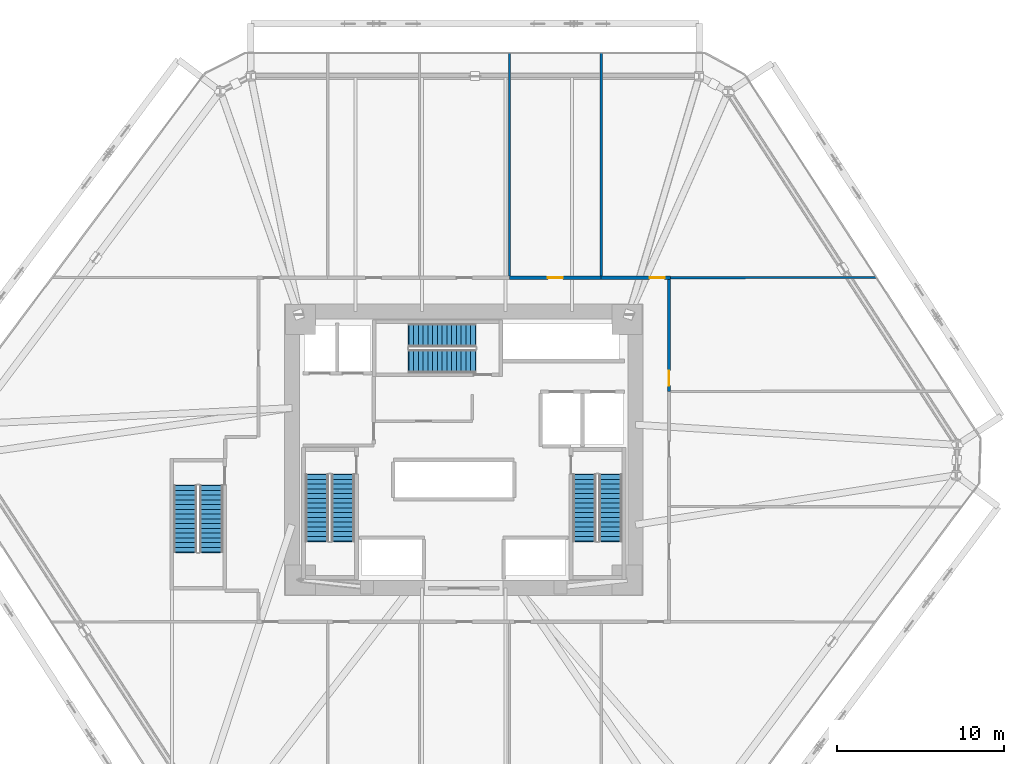
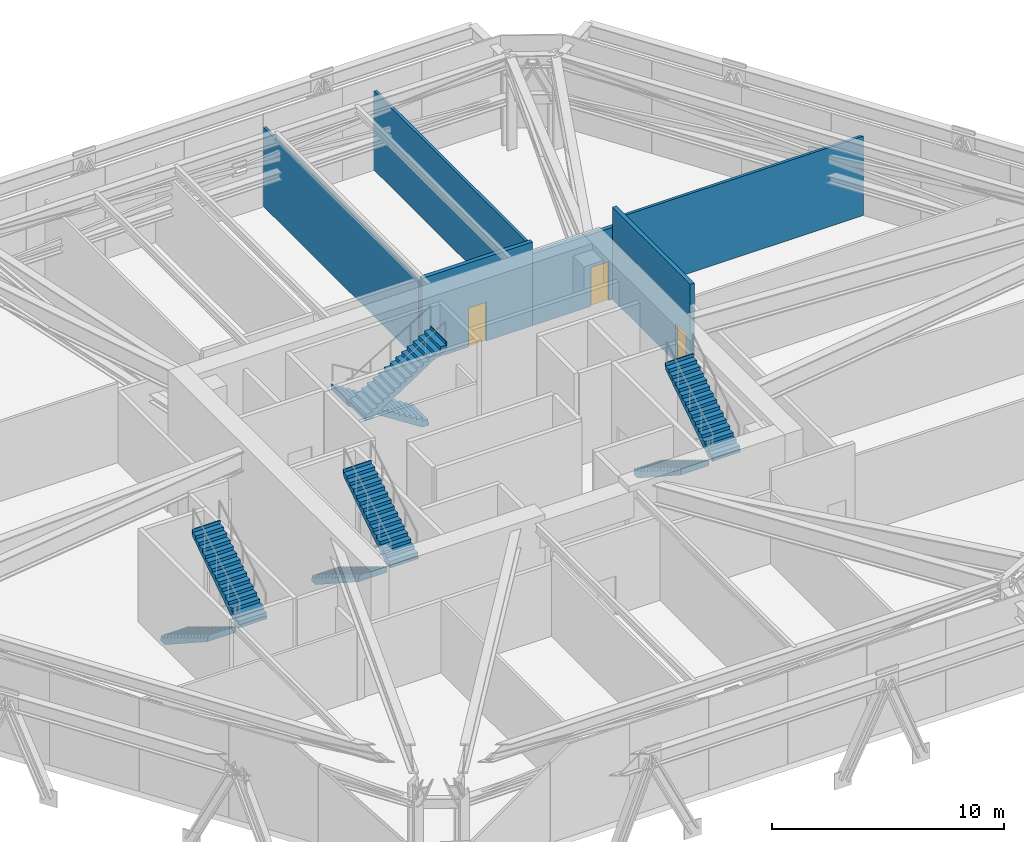
# One storey, part 15 of 16: 8 stair flights, 6 walls, 3 doors, 3 openings, 4 elements without a shape of their own.
"""IFC4 building model written with IfcOpenShell, lengths in metres."""

from ifc_helpers import new_model, si_unit, direction, frame, frame_2d, origin, place, context, subcontext, project, spatial, polyline, rectangle, outline, extrude, source, transform, mapped, material, layer, layer_set, type_object, type_shapes, element, fill, aggregate, save


model = new_model("IFC4")

# Units and contexts
model_context = context("Model", 3, precision=1e-05, world=origin(), true_north=direction((0.0, 1.0)))
body_context = subcontext(model_context, "Body", "Model", "MODEL_VIEW")
ifc_project = project(units=[si_unit("LENGTHUNIT", "METRE"), si_unit("AREAUNIT", "SQUARE_METRE"), si_unit("VOLUMEUNIT", "CUBIC_METRE"), si_unit("PLANEANGLEUNIT", "RADIAN"), si_unit("MASSUNIT", "GRAM", prefix="KILO")], contexts=[model_context])

# Site, building, storey
site_placement = place(None, origin())
site = spatial("IfcSite", under=ifc_project, at=site_placement, CompositionType="ELEMENT")
building_placement = place(site_placement, origin())
building = spatial("IfcBuilding", under=site, at=building_placement, Name="Durnholm Broadcast Tower", CompositionType="ELEMENT")
storey_placement = place(building_placement, frame((0.0, 0.0, 10.39990234375)))
storey = spatial("IfcBuildingStorey", under=building, at=storey_placement, Name="L02", CompositionType="ELEMENT", Elevation=10.39990234375)

# Wall, opening, door
ifc_material_1 = material(Name="Fire-Rated Gypsum Shaftwall", Category="concrete")
ifc_layer_1 = layer(ifc_material_1, 0.199951171875)
ifc_layer_set_1 = layer_set([ifc_layer_1], Name="Fire-Rated Gypsum Shaftwall")
wall_type_1 = type_object("IfcWallType", Name="WALL-LOB-200", PredefinedType="SOLIDWALL", material=ifc_layer_set_1)
wall_1_placement = place(storey_placement, frame((8.239990234375, 10.31005859375, 0.0), z_axis=(0.0, 0.0, 1.0), x_axis=(-1.0, 0.0, 0.0)))
wall_1 = element("IfcWall", 1, at=wall_1_placement, inside=storey, type_object=wall_type_1, Name="L02 Mechanical Plant Room - Domestic Water Booster Tank corridor partition", PredefinedType="SOLIDWALL", context=body_context, shape_type="SweptSolid", body=[
    extrude(rectangle(XDim=5.5, YDim=0.199951171875, at=frame_2d((2.75, 0.0))), origin(), (0.0, 0.0, 1.0), 4.417724609375),
])
opening_1_placement = place(wall_1_placement, frame((2.300048828125, 0.0, 0.0)))
opening_1 = element("IfcOpeningElement", 2, at=opening_1_placement, cuts=wall_1, Name="Opening DC-60L", PredefinedType="OPENING", context=body_context, shape_type="SweptSolid", body=[
    extrude(rectangle(XDim=0.89990234375, YDim=2.050048828125, at=frame_2d((0.449951171875, 1.02490234375))), frame((0.0, 0.10986328125, 0.0), z_axis=(0.0, -1.0, 0.0), x_axis=(1.0, 0.0, 0.0)), (0.0, 0.0, 1.0), 0.219970703125),
])
ifc_material_2 = material(Name="Fire-Rated Core Service Door", Category="steel")
ifc_layer_2 = layer(ifc_material_2, 0.050048828125)
ifc_layer_set_2 = layer_set([ifc_layer_2], Name="Fire-Rated Core Service Door")
door_type_1 = type_object("IfcDoorType", Name="DOOR-CORE-FD60-L", OperationType="NOTDEFINED", PredefinedType="DOOR", material=ifc_layer_set_2)
shared_shape_1 = source(origin(), body_context, "Body", "SweptSolid", [
    extrude(rectangle(XDim=0.89990234375, YDim=2.050048828125, at=frame_2d((0.449951171875, 1.02490234375))), frame((0.0, 0.02490234375, 0.0), z_axis=(0.0, -1.0, 0.0), x_axis=(1.0, 0.0, 0.0)), (0.0, 0.0, 1.0), 0.050048828125),
])
type_shapes(door_type_1, [shared_shape_1])
door_1_placement = place(opening_1_placement, origin())
door_1 = element("IfcDoor", 3, at=door_1_placement, inside=storey, type_object=door_type_1, Name="L02 Mechanical Plant Room - Domestic Water Booster Tank entrance door", OperationType="SINGLE_SWING_LEFT", OverallHeight=2.050048828125, OverallWidth=0.89990234375, PredefinedType="DOOR", context=body_context, shape_type="MappedRepresentation", body=[
    mapped(shared_shape_1, transform((0.0, 0.0, 0.0), x_axis=(1.0, 0.0, 0.0), y_axis=(0.0, 1.0, 0.0), z_axis=(0.0, 0.0, 1.0), scale=1.0)),
])
fill(opening_1, door_1)

wall_2_placement = place(storey_placement, frame((12.389892578125, 10.31005859375, 0.0), z_axis=(0.0, 0.0, 1.0), x_axis=(-1.0, 0.0, 0.0)))
wall_2 = element("IfcWall", 4, at=wall_2_placement, inside=storey, type_object=wall_type_1, Name="L02 Mechanical Plant Room - Hydronic Heating Boiler corridor partition", PredefinedType="SOLIDWALL", context=body_context, shape_type="SweptSolid", body=[
    extrude(rectangle(XDim=4.14990234375, YDim=0.199951171875, at=frame_2d((2.074951171875, 0.0))), origin(), (0.0, 0.0, 1.0), 3.787109375),
])
opening_2_placement = place(wall_2_placement, frame((0.35009765625, 0.0, 0.0)))
opening_2 = element("IfcOpeningElement", 5, at=opening_2_placement, cuts=wall_2, Name="Opening DC-60R", PredefinedType="OPENING", context=body_context, shape_type="SweptSolid", body=[
    extrude(rectangle(XDim=0.89990234375, YDim=2.050048828125, at=frame_2d((0.449951171875, 1.02490234375))), frame((0.0, 0.10986328125, 0.0), z_axis=(0.0, -1.0, 0.0), x_axis=(1.0, 0.0, 0.0)), (0.0, 0.0, 1.0), 0.219970703125),
])
ifc_layer_3 = layer(ifc_material_2, 0.050048828125)
ifc_layer_set_3 = layer_set([ifc_layer_3], Name="Fire-Rated Core Service Door")
door_type_2 = type_object("IfcDoorType", Name="DOOR-CORE-FD60-R", OperationType="NOTDEFINED", PredefinedType="DOOR", material=ifc_layer_set_3)
shared_shape_2 = source(origin(), body_context, "Body", "SweptSolid", [
    extrude(rectangle(XDim=0.89990234375, YDim=2.050048828125, at=frame_2d((0.449951171875, 1.02490234375))), frame((0.0, 0.02490234375, 0.0), z_axis=(0.0, -1.0, 0.0), x_axis=(1.0, 0.0, 0.0)), (0.0, 0.0, 1.0), 0.050048828125),
])
type_shapes(door_type_2, [shared_shape_2])
door_2_placement = place(opening_2_placement, origin())
door_2 = element("IfcDoor", 6, at=door_2_placement, inside=storey, type_object=door_type_2, Name="L02 Mechanical Plant Room - Hydronic Heating Boiler entrance door", OperationType="SINGLE_SWING_RIGHT", OverallHeight=2.050048828125, OverallWidth=0.89990234375, PredefinedType="DOOR", context=body_context, shape_type="MappedRepresentation", body=[
    mapped(shared_shape_2, transform((0.0, 0.0, 0.0), x_axis=(1.0, 0.0, 0.0), y_axis=(0.0, 1.0, 0.0), z_axis=(0.0, 0.0, 1.0), scale=1.0)),
])
fill(opening_2, door_2)

wall_3_placement = place(storey_placement, frame((12.31005859375, 3.489990234375, 0.0), z_axis=(0.0, 0.0, 1.0), x_axis=(0.0, 1.0, 0.0)))
wall_3 = element("IfcWall", 7, at=wall_3_placement, inside=storey, type_object=wall_type_1, Name="L02 Mechanical Plant Room - Energy Recovery Ventilator corridor partition", PredefinedType="SOLIDWALL", context=body_context, shape_type="SweptSolid", body=[
    extrude(rectangle(XDim=6.716064453125, YDim=0.199951171875, at=frame_2d((3.35791015625, 0.0))), origin(), (0.0, 0.0, 1.0), 4.864990234375),
])
opening_3_placement = place(wall_3_placement, frame((0.35009765625, 0.0, 0.0)))
opening_3 = element("IfcOpeningElement", 8, at=opening_3_placement, cuts=wall_3, Name="Opening DC-60R", PredefinedType="OPENING", context=body_context, shape_type="SweptSolid", body=[
    extrude(rectangle(XDim=0.89990234375, YDim=2.050048828125, at=frame_2d((0.449951171875, 1.02490234375))), frame((0.0, 0.10986328125, 0.0), z_axis=(0.0, -1.0, 0.0), x_axis=(1.0, 0.0, 0.0)), (0.0, 0.0, 1.0), 0.219970703125),
])
door_3_placement = place(opening_3_placement, origin())
door_3 = element("IfcDoor", 9, at=door_3_placement, inside=storey, type_object=door_type_2, Name="L02 Mechanical Plant Room - Energy Recovery Ventilator entrance door", OperationType="SINGLE_SWING_RIGHT", OverallHeight=2.050048828125, OverallWidth=0.89990234375, PredefinedType="DOOR", context=body_context, shape_type="MappedRepresentation", body=[
    mapped(shared_shape_2, transform((0.0, 0.0, 0.0), x_axis=(1.0, 0.0, 0.0), y_axis=(0.0, 1.0, 0.0), z_axis=(0.0, 0.0, 1.0), scale=1.0)),
])
fill(opening_3, door_3)

# Walls
ifc_material_3 = material(Name="Gypsum Metal Stud Partition", Category="concrete")
ifc_layer_4 = layer(ifc_material_3, 0.135009765625)
ifc_layer_set_4 = layer_set([ifc_layer_4], Name="Gypsum Metal Stud Partition")
wall_type_2 = type_object("IfcWallType", Name="WALL-PART-135", PredefinedType="PARTITIONING", material=ifc_layer_set_4)
for number, where, z_axis, x_axis, name in (
    (10, (2.739990234375, 23.800048828125, 0.0), (0.0, 0.0, 1.0), (0.0, -1.0, 0.0), "L02 room dividing partition 4.5"),
    (11, (8.239990234375, 23.800048828125, 0.0), (0.0, 0.0, 1.0), (0.0, -1.0, 0.0), "L02 room dividing partition 5.6"),
):
    element("IfcWall", number, at=place(storey_placement, frame(where, z_axis=z_axis, x_axis=x_axis)), inside=storey, type_object=wall_type_2, Name=name, PredefinedType="PARTITIONING", context=body_context, shape_type="SweptSolid", body=[
        extrude(rectangle(XDim=13.385986328125, YDim=0.135009765625, at=frame_2d((6.69287109375, 0.0))), origin(), (0.0, 0.0, 1.0), 4.174072265625),
    ])
wall_4_placement = place(storey_placement, frame((24.74609375, 10.331787109375, 0.0), z_axis=(0.0, 0.0, 1.0), x_axis=(-0.999998453823, -0.001758508277, 0.0)))
element("IfcWall", 12, at=wall_4_placement, inside=storey, type_object=wall_type_2, Name="L02 room dividing partition 6.14", PredefinedType="PARTITIONING", context=body_context, shape_type="SweptSolid", body=[
    extrude(rectangle(XDim=12.356201171875, YDim=0.135009765625, at=frame_2d((6.17822265625, 0.0))), origin(), (0.0, 0.0, 1.0), 4.174072265625),
])

# Stair, stair flights
ifc_material_4 = material(Name="Concrete C50/60", Category="concrete")
stair_type = type_object("IfcStairType", Name="STAIR-DL-30R1733", PredefinedType="HALF_TURN_STAIR", material=ifc_material_4)
stair_1_placement = place(storey_placement, origin())
stair_1 = element("IfcStair", 13, at=stair_1_placement, inside=storey, type_object=stair_type, Name="L02 ST-1", PredefinedType="HALF_TURN_STAIR")
stair_flight_type = type_object("IfcStairFlightType", Name="FLIGHT-DL-30R1733", PredefinedType="STRAIGHT", material=ifc_material_4)
stair_flight_1_placement = place(storey_placement, frame((-8.800048828125, -1.5, 0.0), z_axis=(0.0, 0.0, 1.0), x_axis=(0.0, -1.0, 0.0)))
stair_flight_1 = element("IfcStairFlight", 14, at=stair_flight_1_placement, type_object=stair_flight_type, Name="ST-1 flight 1", NumberOfRisers=15, NumberOfTreads=14, PredefinedType="STRAIGHT", RiserHeight=0.173333333, TreadLength=0.285, context=body_context, shape_type="SweptSolid", body=[
    extrude(outline(polyline([(-0.0400390625, -0.14990234375), (-0.0400390625, 0.0), (0.0, 0.0), (0.0, 0.17333984375), (0.284912109375, 0.17333984375), (0.284912109375, 0.3466796875), (0.570068359375, 0.3466796875), (0.570068359375, 0.52001953125), (0.85498046875, 0.52001953125), (0.85498046875, 0.693359375), (1.139892578125, 0.693359375), (1.139892578125, 0.86669921875), (1.425048828125, 0.86669921875), (1.425048828125, 1.0400390625), (1.7099609375, 1.0400390625), (1.7099609375, 1.21337890625), (1.9951171875, 1.21337890625), (1.9951171875, 1.38671875), (2.280029296875, 1.38671875), (2.280029296875, 1.56005859375), (2.56494140625, 1.56005859375), (2.56494140625, 1.7333984375), (2.85009765625, 1.7333984375), (2.85009765625, 1.90673828125), (3.135009765625, 1.90673828125), (3.135009765625, 2.080078125), (3.419921875, 2.080078125), (3.419921875, 2.25341796875), (3.705078125, 2.25341796875), (3.705078125, 2.4267578125), (3.989990234375, 2.4267578125), (3.989990234375, 2.60009765625), (4.030029296875, 2.60009765625), (4.030029296875, 2.4501953125), (3.989990234375, 2.251220703125), (0.28857421875, -0.14990234375), (-0.0400390625, -0.14990234375)])), frame((0.0, 0.699951171875, 0.0), z_axis=(0.0, -1.0, 0.0), x_axis=(1.0, 0.0, 0.0)), (0.0, 0.0, 1.0), 1.39990234375),
])
stair_flight_2_placement = place(storey_placement, frame((-7.239990234375, -5.489990234375, 2.60009765625), z_axis=(0.0, 0.0, 1.0), x_axis=(0.0, 1.0, 0.0)))
stair_flight_2 = element("IfcStairFlight", 15, at=stair_flight_2_placement, type_object=stair_flight_type, Name="ST-1 flight 2", NumberOfRisers=15, NumberOfTreads=14, PredefinedType="STRAIGHT", RiserHeight=0.173333333, TreadLength=0.285, context=body_context, shape_type="SweptSolid", body=[
    extrude(outline(polyline([(-0.0400390625, -0.14990234375), (-0.0400390625, 0.0), (0.0, 0.0), (0.0, 0.17333984375), (0.284912109375, 0.17333984375), (0.284912109375, 0.3466796875), (0.570068359375, 0.3466796875), (0.570068359375, 0.52001953125), (0.85498046875, 0.52001953125), (0.85498046875, 0.693359375), (1.139892578125, 0.693359375), (1.139892578125, 0.86669921875), (1.425048828125, 0.86669921875), (1.425048828125, 1.0400390625), (1.7099609375, 1.0400390625), (1.7099609375, 1.21337890625), (1.9951171875, 1.21337890625), (1.9951171875, 1.38671875), (2.280029296875, 1.38671875), (2.280029296875, 1.56005859375), (2.56494140625, 1.56005859375), (2.56494140625, 1.7333984375), (2.85009765625, 1.7333984375), (2.85009765625, 1.90673828125), (3.135009765625, 1.90673828125), (3.135009765625, 2.080078125), (3.419921875, 2.080078125), (3.419921875, 2.25341796875), (3.705078125, 2.25341796875), (3.705078125, 2.4267578125), (3.989990234375, 2.4267578125), (3.989990234375, 2.60009765625), (4.030029296875, 2.60009765625), (4.030029296875, 2.4501953125), (3.989990234375, 2.251220703125), (0.28857421875, -0.14990234375), (-0.0400390625, -0.14990234375)])), frame((0.0, 0.699951171875, 0.0), z_axis=(0.0, -1.0, 0.0), x_axis=(1.0, 0.0, 0.0)), (0.0, 0.0, 1.0), 1.39990234375),
])
aggregate(stair_1, [stair_flight_1, stair_flight_2])

stair_2_placement = place(storey_placement, origin())
stair_2 = element("IfcStair", 16, at=stair_2_placement, inside=storey, type_object=stair_type, Name="L02 ST-2", PredefinedType="HALF_TURN_STAIR")
stair_flight_3_placement = place(storey_placement, frame((7.239990234375, -1.5, 0.0), z_axis=(0.0, 0.0, 1.0), x_axis=(0.0, -1.0, 0.0)))
stair_flight_3 = element("IfcStairFlight", 17, at=stair_flight_3_placement, type_object=stair_flight_type, Name="ST-2 flight 1", NumberOfRisers=15, NumberOfTreads=14, PredefinedType="STRAIGHT", RiserHeight=0.173333333, TreadLength=0.285, context=body_context, shape_type="SweptSolid", body=[
    extrude(outline(polyline([(-0.0400390625, -0.14990234375), (-0.0400390625, 0.0), (0.0, 0.0), (0.0, 0.17333984375), (0.284912109375, 0.17333984375), (0.284912109375, 0.3466796875), (0.570068359375, 0.3466796875), (0.570068359375, 0.52001953125), (0.85498046875, 0.52001953125), (0.85498046875, 0.693359375), (1.139892578125, 0.693359375), (1.139892578125, 0.86669921875), (1.425048828125, 0.86669921875), (1.425048828125, 1.0400390625), (1.7099609375, 1.0400390625), (1.7099609375, 1.21337890625), (1.9951171875, 1.21337890625), (1.9951171875, 1.38671875), (2.280029296875, 1.38671875), (2.280029296875, 1.56005859375), (2.56494140625, 1.56005859375), (2.56494140625, 1.7333984375), (2.85009765625, 1.7333984375), (2.85009765625, 1.90673828125), (3.135009765625, 1.90673828125), (3.135009765625, 2.080078125), (3.419921875, 2.080078125), (3.419921875, 2.25341796875), (3.705078125, 2.25341796875), (3.705078125, 2.4267578125), (3.989990234375, 2.4267578125), (3.989990234375, 2.60009765625), (4.030029296875, 2.60009765625), (4.030029296875, 2.4501953125), (3.989990234375, 2.251220703125), (0.28857421875, -0.14990234375), (-0.0400390625, -0.14990234375)])), frame((0.0, 0.699951171875, 0.0), z_axis=(0.0, -1.0, 0.0), x_axis=(1.0, 0.0, 0.0)), (0.0, 0.0, 1.0), 1.39990234375),
])
stair_flight_4_placement = place(storey_placement, frame((8.800048828125, -5.489990234375, 2.60009765625), z_axis=(0.0, 0.0, 1.0), x_axis=(0.0, 1.0, 0.0)))
stair_flight_4 = element("IfcStairFlight", 18, at=stair_flight_4_placement, type_object=stair_flight_type, Name="ST-2 flight 2", NumberOfRisers=15, NumberOfTreads=14, PredefinedType="STRAIGHT", RiserHeight=0.173333333, TreadLength=0.285, context=body_context, shape_type="SweptSolid", body=[
    extrude(outline(polyline([(-0.0400390625, -0.14990234375), (-0.0400390625, 0.0), (0.0, 0.0), (0.0, 0.17333984375), (0.284912109375, 0.17333984375), (0.284912109375, 0.3466796875), (0.570068359375, 0.3466796875), (0.570068359375, 0.52001953125), (0.85498046875, 0.52001953125), (0.85498046875, 0.693359375), (1.139892578125, 0.693359375), (1.139892578125, 0.86669921875), (1.425048828125, 0.86669921875), (1.425048828125, 1.0400390625), (1.7099609375, 1.0400390625), (1.7099609375, 1.21337890625), (1.9951171875, 1.21337890625), (1.9951171875, 1.38671875), (2.280029296875, 1.38671875), (2.280029296875, 1.56005859375), (2.56494140625, 1.56005859375), (2.56494140625, 1.7333984375), (2.85009765625, 1.7333984375), (2.85009765625, 1.90673828125), (3.135009765625, 1.90673828125), (3.135009765625, 2.080078125), (3.419921875, 2.080078125), (3.419921875, 2.25341796875), (3.705078125, 2.25341796875), (3.705078125, 2.4267578125), (3.989990234375, 2.4267578125), (3.989990234375, 2.60009765625), (4.030029296875, 2.60009765625), (4.030029296875, 2.4501953125), (3.989990234375, 2.251220703125), (0.28857421875, -0.14990234375), (-0.0400390625, -0.14990234375)])), frame((0.0, 0.699951171875, 0.0), z_axis=(0.0, -1.0, 0.0), x_axis=(1.0, 0.0, 0.0)), (0.0, 0.0, 1.0), 1.39990234375),
])
aggregate(stair_2, [stair_flight_3, stair_flight_4])

stair_3_placement = place(storey_placement, origin())
stair_3 = element("IfcStair", 19, at=stair_3_placement, inside=storey, type_object=stair_type, Name="L02 ST-3", PredefinedType="HALF_TURN_STAIR")
stair_flight_5_placement = place(storey_placement, frame((0.699951171875, 6.860107421875, 0.0), z_axis=(0.0, 0.0, 1.0), x_axis=(-1.0, 0.0, 0.0)))
stair_flight_5 = element("IfcStairFlight", 20, at=stair_flight_5_placement, type_object=stair_flight_type, Name="ST-3 flight 1", NumberOfRisers=15, NumberOfTreads=14, PredefinedType="STRAIGHT", RiserHeight=0.173333333, TreadLength=0.285, context=body_context, shape_type="SweptSolid", body=[
    extrude(outline(polyline([(-0.0400390625, -0.14990234375), (-0.0400390625, 0.0), (0.0, 0.0), (0.0, 0.17333984375), (0.284912109375, 0.17333984375), (0.284912109375, 0.3466796875), (0.570068359375, 0.3466796875), (0.570068359375, 0.52001953125), (0.85498046875, 0.52001953125), (0.85498046875, 0.693359375), (1.139892578125, 0.693359375), (1.139892578125, 0.86669921875), (1.425048828125, 0.86669921875), (1.425048828125, 1.0400390625), (1.7099609375, 1.0400390625), (1.7099609375, 1.21337890625), (1.9951171875, 1.21337890625), (1.9951171875, 1.38671875), (2.280029296875, 1.38671875), (2.280029296875, 1.56005859375), (2.56494140625, 1.56005859375), (2.56494140625, 1.7333984375), (2.85009765625, 1.7333984375), (2.85009765625, 1.90673828125), (3.135009765625, 1.90673828125), (3.135009765625, 2.080078125), (3.419921875, 2.080078125), (3.419921875, 2.25341796875), (3.705078125, 2.25341796875), (3.705078125, 2.4267578125), (3.989990234375, 2.4267578125), (3.989990234375, 2.60009765625), (4.030029296875, 2.60009765625), (4.030029296875, 2.4501953125), (3.989990234375, 2.251220703125), (0.28857421875, -0.14990234375), (-0.0400390625, -0.14990234375)])), frame((0.0, 0.699951171875, 0.0), z_axis=(0.0, -1.0, 0.0), x_axis=(1.0, 0.0, 0.0)), (0.0, 0.0, 1.0), 1.39990234375),
])
stair_flight_6_placement = place(storey_placement, frame((-3.2900390625, 5.300048828125, 2.60009765625), z_axis=(0.0, 0.0, 1.0), x_axis=(1.0, 0.0, 0.0)))
stair_flight_6 = element("IfcStairFlight", 21, at=stair_flight_6_placement, type_object=stair_flight_type, Name="ST-3 flight 2", NumberOfRisers=15, NumberOfTreads=14, PredefinedType="STRAIGHT", RiserHeight=0.173333333, TreadLength=0.285, context=body_context, shape_type="SweptSolid", body=[
    extrude(outline(polyline([(-0.0400390625, -0.14990234375), (-0.0400390625, 0.0), (0.0, 0.0), (0.0, 0.17333984375), (0.284912109375, 0.17333984375), (0.284912109375, 0.3466796875), (0.570068359375, 0.3466796875), (0.570068359375, 0.52001953125), (0.85498046875, 0.52001953125), (0.85498046875, 0.693359375), (1.139892578125, 0.693359375), (1.139892578125, 0.86669921875), (1.425048828125, 0.86669921875), (1.425048828125, 1.0400390625), (1.7099609375, 1.0400390625), (1.7099609375, 1.21337890625), (1.9951171875, 1.21337890625), (1.9951171875, 1.38671875), (2.280029296875, 1.38671875), (2.280029296875, 1.56005859375), (2.56494140625, 1.56005859375), (2.56494140625, 1.7333984375), (2.85009765625, 1.7333984375), (2.85009765625, 1.90673828125), (3.135009765625, 1.90673828125), (3.135009765625, 2.080078125), (3.419921875, 2.080078125), (3.419921875, 2.25341796875), (3.705078125, 2.25341796875), (3.705078125, 2.4267578125), (3.989990234375, 2.4267578125), (3.989990234375, 2.60009765625), (4.030029296875, 2.60009765625), (4.030029296875, 2.4501953125), (3.989990234375, 2.251220703125), (0.28857421875, -0.14990234375), (-0.0400390625, -0.14990234375)])), frame((0.0, 0.699951171875, 0.0), z_axis=(0.0, -1.0, 0.0), x_axis=(1.0, 0.0, 0.0)), (0.0, 0.0, 1.0), 1.39990234375),
])
aggregate(stair_3, [stair_flight_5, stair_flight_6])

stair_4_placement = place(storey_placement, origin())
stair_4 = element("IfcStair", 22, at=stair_4_placement, inside=storey, type_object=stair_type, Name="L02 ST-4", PredefinedType="HALF_TURN_STAIR")
stair_flight_7_placement = place(storey_placement, frame((-16.699951171875, -2.14990234375, 0.0), z_axis=(0.0, 0.0, 1.0), x_axis=(0.0, -1.0, 0.0)))
stair_flight_7 = element("IfcStairFlight", 23, at=stair_flight_7_placement, type_object=stair_flight_type, Name="ST-4 flight 1", NumberOfRisers=15, NumberOfTreads=14, PredefinedType="STRAIGHT", RiserHeight=0.173333333, TreadLength=0.285, context=body_context, shape_type="SweptSolid", body=[
    extrude(outline(polyline([(-0.0400390625, -0.14990234375), (-0.0400390625, 0.0), (0.0, 0.0), (0.0, 0.17333984375), (0.284912109375, 0.17333984375), (0.284912109375, 0.3466796875), (0.570068359375, 0.3466796875), (0.570068359375, 0.52001953125), (0.85498046875, 0.52001953125), (0.85498046875, 0.693359375), (1.139892578125, 0.693359375), (1.139892578125, 0.86669921875), (1.425048828125, 0.86669921875), (1.425048828125, 1.0400390625), (1.7099609375, 1.0400390625), (1.7099609375, 1.21337890625), (1.9951171875, 1.21337890625), (1.9951171875, 1.38671875), (2.280029296875, 1.38671875), (2.280029296875, 1.56005859375), (2.56494140625, 1.56005859375), (2.56494140625, 1.7333984375), (2.85009765625, 1.7333984375), (2.85009765625, 1.90673828125), (3.135009765625, 1.90673828125), (3.135009765625, 2.080078125), (3.419921875, 2.080078125), (3.419921875, 2.25341796875), (3.705078125, 2.25341796875), (3.705078125, 2.4267578125), (3.989990234375, 2.4267578125), (3.989990234375, 2.60009765625), (4.030029296875, 2.60009765625), (4.030029296875, 2.4501953125), (3.989990234375, 2.251220703125), (0.28857421875, -0.14990234375), (-0.0400390625, -0.14990234375)])), frame((0.0, 0.699951171875, 0.0), z_axis=(0.0, -1.0, 0.0), x_axis=(1.0, 0.0, 0.0)), (0.0, 0.0, 1.0), 1.39990234375),
])
stair_flight_8_placement = place(storey_placement, frame((-15.139892578125, -6.139892578125, 2.60009765625), z_axis=(0.0, 0.0, 1.0), x_axis=(0.0, 1.0, 0.0)))
stair_flight_8 = element("IfcStairFlight", 24, at=stair_flight_8_placement, type_object=stair_flight_type, Name="ST-4 flight 2", NumberOfRisers=15, NumberOfTreads=14, PredefinedType="STRAIGHT", RiserHeight=0.173333333, TreadLength=0.285, context=body_context, shape_type="SweptSolid", body=[
    extrude(outline(polyline([(-0.0400390625, -0.14990234375), (-0.0400390625, 0.0), (0.0, 0.0), (0.0, 0.17333984375), (0.284912109375, 0.17333984375), (0.284912109375, 0.3466796875), (0.570068359375, 0.3466796875), (0.570068359375, 0.52001953125), (0.85498046875, 0.52001953125), (0.85498046875, 0.693359375), (1.139892578125, 0.693359375), (1.139892578125, 0.86669921875), (1.425048828125, 0.86669921875), (1.425048828125, 1.0400390625), (1.7099609375, 1.0400390625), (1.7099609375, 1.21337890625), (1.9951171875, 1.21337890625), (1.9951171875, 1.38671875), (2.280029296875, 1.38671875), (2.280029296875, 1.56005859375), (2.56494140625, 1.56005859375), (2.56494140625, 1.7333984375), (2.85009765625, 1.7333984375), (2.85009765625, 1.90673828125), (3.135009765625, 1.90673828125), (3.135009765625, 2.080078125), (3.419921875, 2.080078125), (3.419921875, 2.25341796875), (3.705078125, 2.25341796875), (3.705078125, 2.4267578125), (3.989990234375, 2.4267578125), (3.989990234375, 2.60009765625), (4.030029296875, 2.60009765625), (4.030029296875, 2.4501953125), (3.989990234375, 2.251220703125), (0.28857421875, -0.14990234375), (-0.0400390625, -0.14990234375)])), frame((0.0, 0.699951171875, 0.0), z_axis=(0.0, -1.0, 0.0), x_axis=(1.0, 0.0, 0.0)), (0.0, 0.0, 1.0), 1.39990234375),
])
aggregate(stair_4, [stair_flight_7, stair_flight_8])

save(model, "model.ifc")
